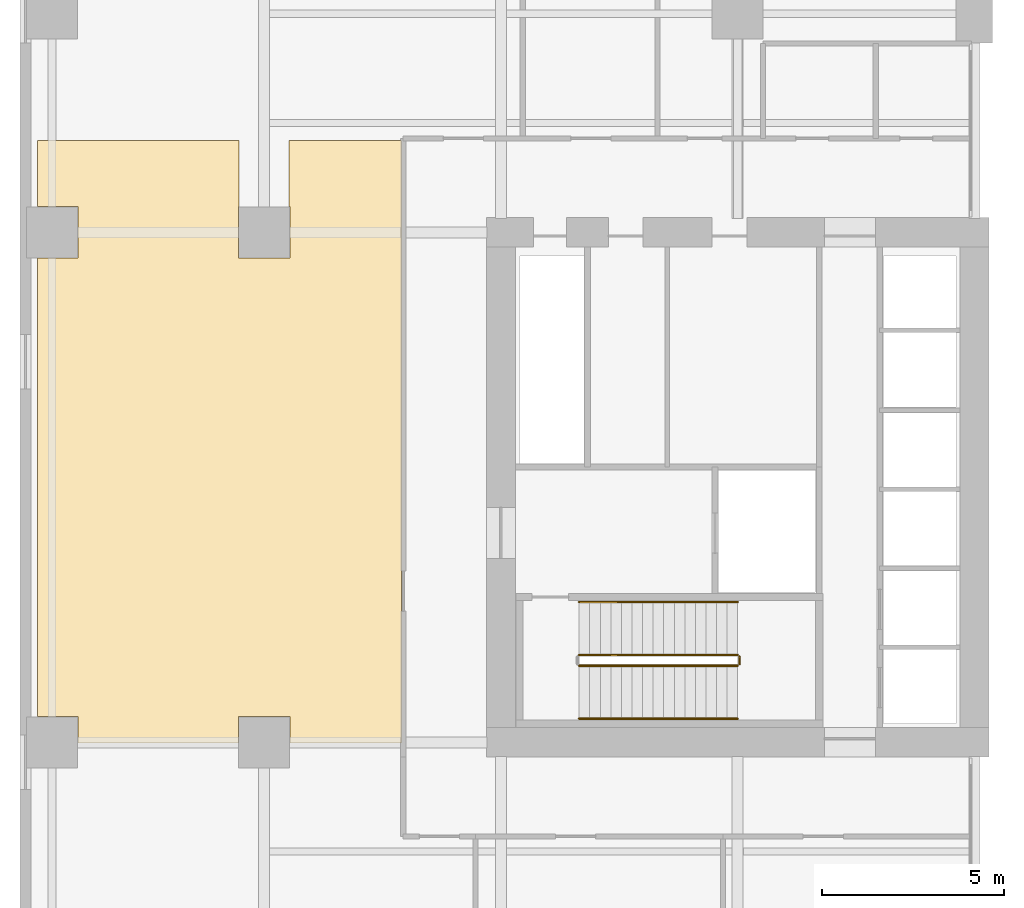
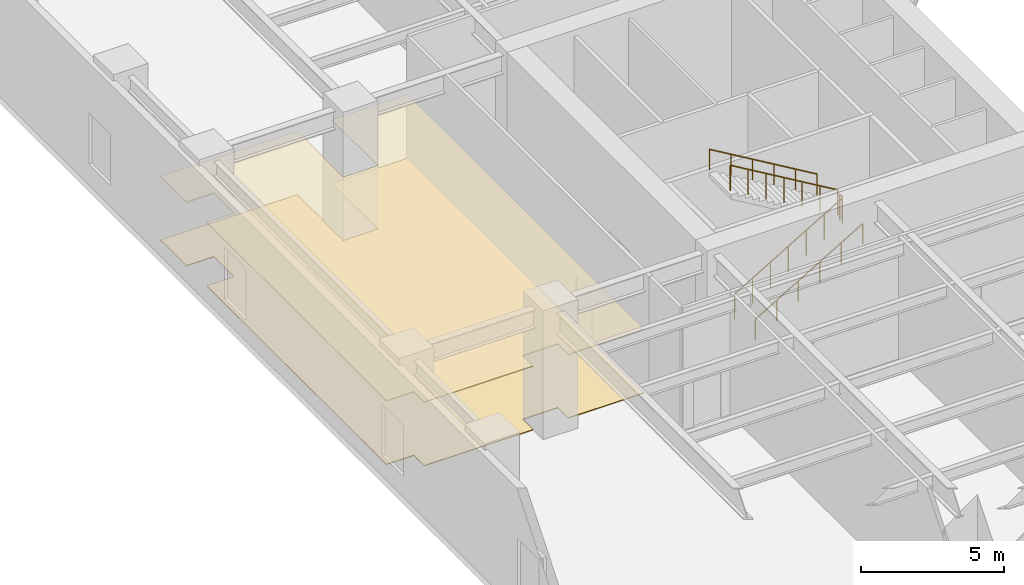
# One storey, part 14 of 17: 5 railings, 2 coverings.
"""IFC4 building model written with IfcOpenShell, lengths in metres."""

from ifc_helpers import new_model, si_unit, direction, frame, origin, origin_2d, place, context, subcontext, project, spatial, polyline, circle, outline, extrude, material, layer, layer_set, type_object, element, save


model = new_model("IFC4")

# Units and contexts
model_context = context("Model", 3, precision=1e-05, world=origin(), true_north=direction((0.0, 1.0)))
body_context = subcontext(model_context, "Body", "Model", "MODEL_VIEW")
ifc_project = project(units=[si_unit("LENGTHUNIT", "METRE"), si_unit("AREAUNIT", "SQUARE_METRE"), si_unit("VOLUMEUNIT", "CUBIC_METRE"), si_unit("PLANEANGLEUNIT", "RADIAN"), si_unit("MASSUNIT", "GRAM", prefix="KILO")], contexts=[model_context])

# Site, building, storey
site_placement = place(None, origin())
site = spatial("IfcSite", under=ifc_project, at=site_placement, CompositionType="ELEMENT")
building_placement = place(site_placement, origin())
building = spatial("IfcBuilding", under=site, at=building_placement, Name="Putna Gate Headquarters", CompositionType="ELEMENT")
storey_placement = place(building_placement, frame((0.0, 0.0, 6.0)))
storey = spatial("IfcBuildingStorey", under=building, at=storey_placement, Name="L01", CompositionType="ELEMENT", Elevation=6.0)

# Coverings
ifc_material_1 = material(Name="Perforated mineral-fibre acoustic ceiling tile")
ifc_layer_1 = layer(ifc_material_1, 0.0400390625)
ifc_layer_set_1 = layer_set([ifc_layer_1], Name="Perforated mineral-fibre acoustic ceiling tile")
covering_type_1 = type_object("IfcCoveringType", Name="COV-ACOUSTIC-CEILING", PredefinedType="CEILING", material=ifc_layer_set_1)
covering_1_placement = place(storey_placement, frame((0.0, 0.0, 2.7099609375)))
element("IfcCovering", 1, at=covering_1_placement, inside=storey, type_object=covering_type_1, Name="L01 Acoustic Ceiling Covering 1", PredefinedType="CEILING", context=body_context, shape_type="SweptSolid", body=[
    extrude(outline(polyline([(10.27001953125, 35.52001953125), (7.18798828125, 35.52001953125), (7.18798828125, 33.7080078125), (7.2080078125, 33.7080078125), (7.2080078125, 32.2919921875), (5.7919921875, 32.2919921875), (5.7919921875, 33.7080078125), (5.81201171875, 33.7080078125), (5.81201171875, 35.52001953125), (0.280029296875, 35.52001953125), (0.280029296875, 33.7080078125), (1.387939453125, 33.7080078125), (1.387939453125, 32.2919921875), (0.280029296875, 32.2919921875), (0.280029296875, 19.7080078125), (1.387939453125, 19.7080078125), (1.387939453125, 18.97998046875), (5.7919921875, 18.97998046875), (5.7919921875, 19.7080078125), (7.2080078125, 19.7080078125), (7.2080078125, 18.97998046875), (10.27001953125, 18.97998046875), (10.27001953125, 35.52001953125)])), origin(), (0.0, 0.0, 1.0), 0.0400390625),
])
ifc_material_2 = material(Name="Calcium-sulphate raised access floor finish")
ifc_layer_2 = layer(ifc_material_2, 0.030029296875)
ifc_layer_set_2 = layer_set([ifc_layer_2], Name="Calcium-sulphate raised access floor finish")
covering_type_2 = type_object("IfcCoveringType", Name="COV-RAISED-FLOORING", PredefinedType="FLOORING", material=ifc_layer_set_2)
covering_2_placement = place(storey_placement, origin())
element("IfcCovering", 2, at=covering_2_placement, inside=storey, type_object=covering_type_2, Name="L01 Raised Access Floor Covering 1", PredefinedType="FLOORING", context=body_context, shape_type="SweptSolid", body=[
    extrude(outline(polyline([(10.27001953125, 35.52001953125), (7.18798828125, 35.52001953125), (7.18798828125, 33.7080078125), (7.2080078125, 33.7080078125), (7.2080078125, 32.2919921875), (5.7919921875, 32.2919921875), (5.7919921875, 33.7080078125), (5.81201171875, 33.7080078125), (5.81201171875, 35.52001953125), (0.280029296875, 35.52001953125), (0.280029296875, 33.7080078125), (1.387939453125, 33.7080078125), (1.387939453125, 32.2919921875), (0.280029296875, 32.2919921875), (0.280029296875, 19.7080078125), (1.387939453125, 19.7080078125), (1.387939453125, 18.97998046875), (5.7919921875, 18.97998046875), (5.7919921875, 19.7080078125), (7.2080078125, 19.7080078125), (7.2080078125, 18.97998046875), (10.27001953125, 18.97998046875), (10.27001953125, 35.52001953125)])), origin(), (0.0, 0.0, 1.0), 0.030029296875),
])

# Railings
ifc_material_3 = material(Name="Powder-coated steel stair guardrail", Category="steel")
railing_type_1 = type_object("IfcRailingType", Name="RAIL-STAIR-GUARD-1100", PredefinedType="GUARDRAIL", material=ifc_material_3)
railing_1_placement = place(storey_placement, frame((15.14990234375, 21.10009765625, 0.171875)))
element("IfcRailing", 3, at=railing_1_placement, inside=storey, type_object=railing_type_1, Name="L01 ST1 stair guard 1", PredefinedType="GUARDRAIL", context=body_context, shape_type="SweptSolid", body=[
    extrude(circle(Radius=0.02392578125, at=origin_2d()), frame((0.0, 0.0, 1.076171875), z_axis=(0.860266436404, 0.0, 0.509844739501), x_axis=(0.0, 1.0, 0.0)), (0.0, 0.0, 1.0), 5.056640625),
    extrude(circle(Radius=0.02099609375, at=origin_2d()), origin(), (0.0, 0.0, 1.0), 1.052001953125),
    extrude(circle(Radius=0.02099609375, at=origin_2d()), frame((0.72509765625, 0.0, 0.4296875)), (0.0, 0.0, 1.0), 1.052001953125),
    extrude(circle(Radius=0.02099609375, at=origin_2d()), frame((1.449951171875, 0.0, 0.859375)), (0.0, 0.0, 1.0), 1.052001953125),
    extrude(circle(Radius=0.02099609375, at=origin_2d()), frame((2.175048828125, 0.0, 1.2890625)), (0.0, 0.0, 1.0), 1.052001953125),
    extrude(circle(Radius=0.02099609375, at=origin_2d()), frame((2.900146484375, 0.0, 1.71875)), (0.0, 0.0, 1.0), 1.052001953125),
    extrude(circle(Radius=0.02099609375, at=origin_2d()), frame((3.625, 0.0, 2.1484375)), (0.0, 0.0, 1.0), 1.052001953125),
    extrude(circle(Radius=0.02099609375, at=origin_2d()), frame((4.35009765625, 0.0, 2.578125)), (0.0, 0.0, 1.0), 1.052001953125),
])
railing_2_placement = place(storey_placement, frame((19.550048828125, 21.14990234375, 2.75)))
element("IfcRailing", 4, at=railing_2_placement, inside=storey, type_object=railing_type_1, Name="L01 ST1 stair guard 2", PredefinedType="GUARDRAIL", context=body_context, shape_type="SweptSolid", body=[
    extrude(circle(Radius=0.02392578125, at=origin_2d()), frame((0.0, 0.0, 1.076171875), z_axis=(0.0, 1.0, 0.0), x_axis=(-1.0, 0.0, 0.0)), (0.0, 0.0, 1.0), 0.2001953125),
    extrude(circle(Radius=0.02099609375, at=origin_2d()), origin(), (0.0, 0.0, 1.0), 1.052001953125),
    extrude(circle(Radius=0.02099609375, at=origin_2d()), frame((0.0, 0.2001953125, 0.0)), (0.0, 0.0, 1.0), 1.052001953125),
])
railing_3_placement = place(storey_placement, frame((19.5, 21.39990234375, 2.921875)))
element("IfcRailing", 5, at=railing_3_placement, inside=storey, type_object=railing_type_1, Name="L01 ST1 stair guard 3", PredefinedType="GUARDRAIL", context=body_context, shape_type="SweptSolid", body=[
    extrude(circle(Radius=0.02392578125, at=origin_2d()), frame((0.0, 0.0, 1.076171875), z_axis=(-0.860266436404, 0.0, 0.509844739501), x_axis=(0.0, -1.0, 0.0)), (0.0, 0.0, 1.0), 5.056640625),
    extrude(circle(Radius=0.02099609375, at=origin_2d()), origin(), (0.0, 0.0, 1.0), 1.052001953125),
    extrude(circle(Radius=0.02099609375, at=origin_2d()), frame((-0.72509765625, 0.0, 0.4296875)), (0.0, 0.0, 1.0), 1.052001953125),
    extrude(circle(Radius=0.02099609375, at=origin_2d()), frame((-1.449951171875, 0.0, 0.859375)), (0.0, 0.0, 1.0), 1.052001953125),
    extrude(circle(Radius=0.02099609375, at=origin_2d()), frame((-2.175048828125, 0.0, 1.2890625)), (0.0, 0.0, 1.0), 1.052001953125),
    extrude(circle(Radius=0.02099609375, at=origin_2d()), frame((-2.900146484375, 0.0, 1.71875)), (0.0, 0.0, 1.0), 1.052001953125),
    extrude(circle(Radius=0.02099609375, at=origin_2d()), frame((-3.625, 0.0, 2.1484375)), (0.0, 0.0, 1.0), 1.052001953125),
    extrude(circle(Radius=0.02099609375, at=origin_2d()), frame((-4.35009765625, 0.0, 2.578125)), (0.0, 0.0, 1.0), 1.052001953125),
])
ifc_material_4 = material(Name="Brushed stainless steel handrail", Category="steel")
railing_type_2 = type_object("IfcRailingType", Name="RAIL-STAIR-HAND-900", PredefinedType="HANDRAIL", material=ifc_material_4)
railing_4_placement = place(storey_placement, frame((15.14990234375, 19.64990234375, 0.171875)))
element("IfcRailing", 6, at=railing_4_placement, inside=storey, type_object=railing_type_2, Name="L01 ST1 stair handrail 1", PredefinedType="HANDRAIL", context=body_context, shape_type="SweptSolid", body=[
    extrude(circle(Radius=0.02392578125, at=origin_2d()), frame((0.0, 0.0, 0.8759765625), z_axis=(0.860266436404, 0.0, 0.509844739501), x_axis=(0.0, 1.0, 0.0)), (0.0, 0.0, 1.0), 5.056640625),
    extrude(circle(Radius=0.02099609375, at=origin_2d()), origin(), (0.0, 0.0, 1.0), 0.851806640625),
    extrude(circle(Radius=0.02099609375, at=origin_2d()), frame((0.8701171875, 0.0, 0.515625)), (0.0, 0.0, 1.0), 0.851806640625),
    extrude(circle(Radius=0.02099609375, at=origin_2d()), frame((1.739990234375, 0.0, 1.03125)), (0.0, 0.0, 1.0), 0.851806640625),
    extrude(circle(Radius=0.02099609375, at=origin_2d()), frame((2.610107421875, 0.0, 1.546875)), (0.0, 0.0, 1.0), 0.851806640625),
    extrude(circle(Radius=0.02099609375, at=origin_2d()), frame((3.47998046875, 0.0, 2.0625)), (0.0, 0.0, 1.0), 0.851806640625),
    extrude(circle(Radius=0.02099609375, at=origin_2d()), frame((4.35009765625, 0.0, 2.578125)), (0.0, 0.0, 1.0), 0.851806640625),
])
railing_5_placement = place(storey_placement, frame((19.5, 22.85009765625, 2.921875)))
element("IfcRailing", 7, at=railing_5_placement, inside=storey, type_object=railing_type_2, Name="L01 ST1 stair handrail 2", PredefinedType="HANDRAIL", context=body_context, shape_type="SweptSolid", body=[
    extrude(circle(Radius=0.02392578125, at=origin_2d()), frame((0.0, 0.0, 0.8759765625), z_axis=(-0.860266436404, 0.0, 0.509844739501), x_axis=(0.0, -1.0, 0.0)), (0.0, 0.0, 1.0), 5.056640625),
    extrude(circle(Radius=0.02099609375, at=origin_2d()), origin(), (0.0, 0.0, 1.0), 0.851806640625),
    extrude(circle(Radius=0.02099609375, at=origin_2d()), frame((-0.8701171875, 0.0, 0.515625)), (0.0, 0.0, 1.0), 0.851806640625),
    extrude(circle(Radius=0.02099609375, at=origin_2d()), frame((-1.739990234375, 0.0, 1.03125)), (0.0, 0.0, 1.0), 0.851806640625),
    extrude(circle(Radius=0.02099609375, at=origin_2d()), frame((-2.610107421875, 0.0, 1.546875)), (0.0, 0.0, 1.0), 0.851806640625),
    extrude(circle(Radius=0.02099609375, at=origin_2d()), frame((-3.47998046875, 0.0, 2.0625)), (0.0, 0.0, 1.0), 0.851806640625),
    extrude(circle(Radius=0.02099609375, at=origin_2d()), frame((-4.35009765625, 0.0, 2.578125)), (0.0, 0.0, 1.0), 0.851806640625),
])

save(model, "model.ifc")
